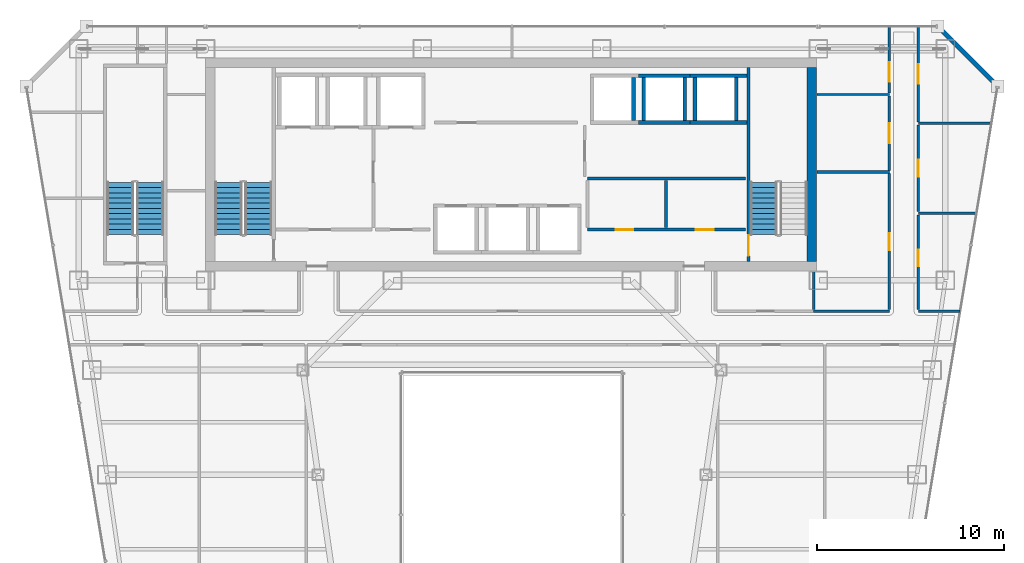
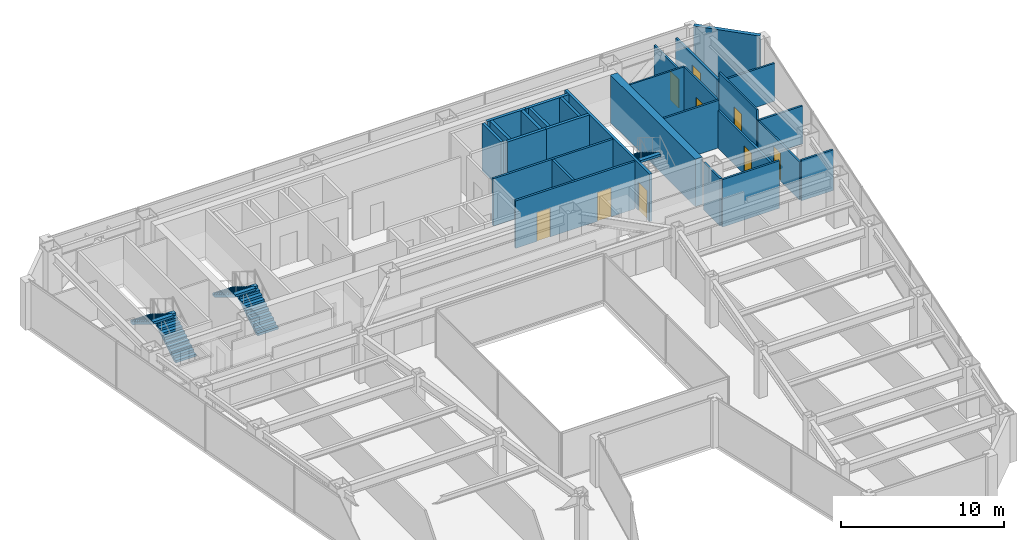
# One storey, part 35 of 40: 28 walls, 9 doors, 5 stair flights, 9 openings, 3 elements without a shape of their own.
"""IFC4 building model written with IfcOpenShell, lengths in metres."""

from ifc_helpers import new_model, si_unit, direction, frame, frame_2d, origin, place, context, subcontext, project, spatial, polyline, rectangle, outline, extrude, material, layer, layer_set, type_object, element, fill, aggregate, save


model = new_model("IFC4")

# Units and contexts
model_context = context("Model", 3, precision=1e-05, world=origin(), true_north=direction((0.0, 1.0)))
body_context = subcontext(model_context, "Body", "Model", "MODEL_VIEW")
ifc_project = project(units=[si_unit("LENGTHUNIT", "METRE"), si_unit("AREAUNIT", "SQUARE_METRE"), si_unit("VOLUMEUNIT", "CUBIC_METRE"), si_unit("PLANEANGLEUNIT", "RADIAN"), si_unit("MASSUNIT", "GRAM", prefix="KILO")], contexts=[model_context])

# Site, building, storey
site_placement = place(None, origin())
site = spatial("IfcSite", under=ifc_project, at=site_placement, CompositionType="ELEMENT")
building_placement = place(site_placement, origin())
building = spatial("IfcBuilding", under=site, at=building_placement, Name="Saevonmaru Cultural Tower", CompositionType="ELEMENT")
storey_placement = place(building_placement, frame((0.0, 0.0, 129.60009765625)))
storey = spatial("IfcBuildingStorey", under=building, at=storey_placement, Name="L27", CompositionType="ELEMENT", Elevation=129.60009765625)

# Wall
ifc_material_1 = material(Name="Concrete C60/75", Category="concrete")
ifc_layer_1 = layer(ifc_material_1, 0.5, Name="Concrete C60/75")
ifc_layer_set_1 = layer_set([ifc_layer_1], Name="Concrete C60/75")
wall_type_1 = type_object("IfcWallType", Name="WL-CORE-500", PredefinedType="SHEAR", material=ifc_layer_set_1)
wall_1_placement = place(storey_placement, frame((46.050048828125, 43.39990234375, 0.0), z_axis=(0.0, 0.0, 1.0), x_axis=(0.0, 1.0, 0.0)))
element("IfcWall", 1, at=wall_1_placement, inside=storey, type_object=wall_type_1, Name="L27 Tower RC core shear wall E", PredefinedType="SHEAR", context=body_context, shape_type="SweptSolid", body=[
    extrude(rectangle(XDim=10.400146484375, YDim=0.5, at=frame_2d((5.2001953125, 0.0))), origin(), (0.0, 0.0, 1.0), 3.5498046875),
])

# Wall, openings, doors
ifc_material_2 = material(Name="Gypsum Fireboard Partition", Category="gypsum")
ifc_layer_2 = layer(ifc_material_2, 0.14990234375, Name="Gypsum Fireboard Partition")
ifc_layer_set_2 = layer_set([ifc_layer_2], Name="Gypsum Fireboard Partition")
wall_type_2 = type_object("IfcWallType", Name="WL-CORE-PART-150", PredefinedType="PARTITIONING", material=ifc_layer_set_2)
wall_2_placement = place(storey_placement, frame((34.050048828125, 45.1201171875, 0.0), z_axis=(0.0, 0.0, 1.0), x_axis=(1.0, 0.0, 0.0)))
wall_2 = element("IfcWall", 2, at=wall_2_placement, inside=storey, type_object=wall_type_2, Name="L27 Core Plant South Wall", PredefinedType="PARTITIONING", context=body_context, shape_type="SweptSolid", body=[
    extrude(rectangle(XDim=8.449951171875, YDim=0.14990234375, at=frame_2d((4.22509765625, 0.0))), origin(), (0.0, 0.0, 1.0), 3.5498046875),
])
opening_1_placement = place(wall_2_placement, frame((1.5, 0.0, 0.0)))
opening_1 = element("IfcOpeningElement", 3, at=opening_1_placement, cuts=wall_2, Name="Opening FD-4", PredefinedType="OPENING", context=body_context, shape_type="SweptSolid", body=[
    extrude(rectangle(XDim=0.949951171875, YDim=2.14990234375, at=frame_2d((0.47509765625, 1.074951171875))), frame((0.0, 0.0849609375, 0.0), z_axis=(0.0, -1.0, 0.0), x_axis=(1.0, 0.0, 0.0)), (0.0, 0.0, 1.0), 0.169921875),
])
opening_2_placement = place(wall_2_placement, frame((5.800048828125, 0.0, 0.0)))
opening_2 = element("IfcOpeningElement", 4, at=opening_2_placement, cuts=wall_2, Name="Opening FD-4", PredefinedType="OPENING", context=body_context, shape_type="SweptSolid", body=[
    extrude(rectangle(XDim=0.949951171875, YDim=2.14990234375, at=frame_2d((0.47509765625, 1.074951171875))), frame((0.0, 0.0849609375, 0.0), z_axis=(0.0, -1.0, 0.0), x_axis=(1.0, 0.0, 0.0)), (0.0, 0.0, 1.0), 0.169921875),
])
ifc_material_3 = material(Name="Satin Bronze Anodised Aluminium", Category="aluminium")
door_type_1 = type_object("IfcDoorType", Name="DR-FD60-950", OperationType="SINGLE_SWING_LEFT", PredefinedType="DOOR", material=ifc_material_3)
door_1_placement = place(opening_1_placement, origin())
door_1 = element("IfcDoor", 5, at=door_1_placement, inside=storey, type_object=door_type_1, Name="L27 Floor AHU Plant Door", OperationType="SINGLE_SWING_LEFT", OverallHeight=2.14990234375, OverallWidth=0.949951171875, PredefinedType="DOOR", context=body_context, shape_type="SweptSolid", body=[
    extrude(rectangle(XDim=0.949951171875, YDim=2.14990234375, at=frame_2d((0.47509765625, 1.074951171875))), frame((0.0, 0.02490234375, 0.0), z_axis=(0.0, -1.0, 0.0), x_axis=(1.0, 0.0, 0.0)), (0.0, 0.0, 1.0), 0.050048828125),
])
fill(opening_1, door_1)
door_2_placement = place(opening_2_placement, origin())
door_2 = element("IfcDoor", 6, at=door_2_placement, inside=storey, type_object=door_type_1, Name="L27 Housekeeping Storage Door", OperationType="SINGLE_SWING_LEFT", OverallHeight=2.14990234375, OverallWidth=0.949951171875, PredefinedType="DOOR", context=body_context, shape_type="SweptSolid", body=[
    extrude(rectangle(XDim=0.949951171875, YDim=2.14990234375, at=frame_2d((0.47509765625, 1.074951171875))), frame((0.0, 0.02490234375, 0.0), z_axis=(0.0, -1.0, 0.0), x_axis=(1.0, 0.0, 0.0)), (0.0, 0.0, 1.0), 0.050048828125),
])
fill(opening_2, door_2)

# Walls
wall_3_placement = place(storey_placement, frame((34.050048828125, 47.85009765625, 0.0), z_axis=(0.0, 0.0, 1.0), x_axis=(1.0, 0.0, 0.0)))
element("IfcWall", 7, at=wall_3_placement, inside=storey, type_object=wall_type_2, Name="L27 Core Plant North Wall", PredefinedType="PARTITIONING", context=body_context, shape_type="SweptSolid", body=[
    extrude(rectangle(XDim=8.449951171875, YDim=0.14990234375, at=frame_2d((4.22509765625, 0.0))), origin(), (0.0, 0.0, 1.0), 3.5498046875),
])
wall_4_placement = place(storey_placement, frame((38.25, 45.219970703125, 0.0), z_axis=(0.0, 0.0, 1.0), x_axis=(0.0, 1.0, 0.0)))
element("IfcWall", 8, at=wall_4_placement, inside=storey, type_object=wall_type_2, Name="L27 Core Plant Split", PredefinedType="PARTITIONING", context=body_context, shape_type="SweptSolid", body=[
    extrude(rectangle(XDim=2.530029296875, YDim=0.14990234375, at=frame_2d((1.26513671875, 0.0))), origin(), (0.0, 0.0, 1.0), 3.5498046875),
])
ifc_material_4 = material(Name="Granite-Clad Precast Concrete C40/50", Category="masonry")
ifc_layer_3 = layer(ifc_material_4, 0.260009765625, Name="Granite-Clad Precast Concrete C40/50")
ifc_layer_set_3 = layer_set([ifc_layer_3], Name="Granite-Clad Precast Concrete C40/50")
wall_type_3 = type_object("IfcWallType", Name="WL-EXT-SPANDREL-260", PredefinedType="STANDARD", material=ifc_layer_set_3)
wall_5_placement = place(storey_placement, frame((55.886962890625, 52.9130859375, 0.0), z_axis=(0.0, 0.0, 1.0), x_axis=(-0.707106781187, 0.707106781187, 0.0)))
element("IfcWall", 9, at=wall_5_placement, inside=storey, type_object=wall_type_3, Name="L27 Chamfer Corner Spandrel Wall E9", PredefinedType="STANDARD", context=body_context, shape_type="SweptSolid", body=[
    extrude(rectangle(XDim=4.205810546875, YDim=0.260009765625, at=frame_2d((2.10302734375, 0.0))), origin(), (0.0, 0.0, 1.0), 3.5498046875),
])

# Wall, opening, door
ifc_layer_4 = layer(ifc_material_2, 0.14990234375, Name="Gypsum Fireboard Partition")
ifc_layer_set_4 = layer_set([ifc_layer_4], Name="Gypsum Fireboard Partition")
wall_type_4 = type_object("IfcWallType", Name="WL-PART-FIRE-150", PredefinedType="PARTITIONING", material=ifc_layer_set_4)
wall_6_placement = place(storey_placement, frame((51.75, 50.887451171875, 0.0), z_axis=(0.0, 0.0, 1.0), x_axis=(0.0, 1.0, 0.0)))
wall_6 = element("IfcWall", 10, at=wall_6_placement, inside=storey, type_object=wall_type_4, Name="L27 East Asian Ceramics Gallery Corridor Wall", PredefinedType="PARTITIONING", context=body_context, shape_type="SweptSolid", body=[
    extrude(rectangle(XDim=5.107666015625, YDim=0.14990234375, at=frame_2d((2.5537109375, 0.0))), origin(), (0.0, 0.0, 1.0), 2.934814453125),
])
opening_3_placement = place(wall_6_placement, frame((2.029052734375, 0.0, 0.0)))
opening_3 = element("IfcOpeningElement", 11, at=opening_3_placement, cuts=wall_6, Name="Opening ID-1", PredefinedType="OPENING", context=body_context, shape_type="SweptSolid", body=[
    extrude(rectangle(XDim=1.050048828125, YDim=2.14990234375, at=frame_2d((0.52490234375, 1.074951171875))), frame((0.0, 0.0849609375, 0.0), z_axis=(0.0, -1.0, 0.0), x_axis=(1.0, 0.0, 0.0)), (0.0, 0.0, 1.0), 0.169921875),
])
door_type_2 = type_object("IfcDoorType", Name="DR-INT-1050", OperationType="SINGLE_SWING_LEFT", PredefinedType="DOOR", material=ifc_material_3)
door_3_placement = place(opening_3_placement, origin())
door_3 = element("IfcDoor", 12, at=door_3_placement, inside=storey, type_object=door_type_2, Name="L27 East Asian Ceramics Gallery Door", OperationType="SINGLE_SWING_LEFT", OverallHeight=2.14990234375, OverallWidth=1.050048828125, PredefinedType="DOOR", context=body_context, shape_type="SweptSolid", body=[
    extrude(rectangle(XDim=1.050048828125, YDim=2.14990234375, at=frame_2d((0.52490234375, 1.074951171875))), frame((0.0, 0.02490234375, 0.0), z_axis=(0.0, -1.0, 0.0), x_axis=(1.0, 0.0, 0.0)), (0.0, 0.0, 1.0), 0.050048828125),
])
fill(opening_3, door_3)

# Wall
ifc_layer_5 = layer(ifc_material_2, 0.1201171875, Name="Gypsum Fireboard Partition")
ifc_layer_set_5 = layer_set([ifc_layer_5], Name="Gypsum Fireboard Partition")
wall_type_5 = type_object("IfcWallType", Name="WL-PART-GYP-120", PredefinedType="PARTITIONING", material=ifc_layer_set_5)
wall_7_placement = place(storey_placement, frame((46.320068359375, 52.35009765625, 0.0), z_axis=(0.0, 0.0, 1.0), x_axis=(1.0, 0.0, 0.0)))
element("IfcWall", 13, at=wall_7_placement, inside=storey, type_object=wall_type_5, Name="L27 North-East Panorama South Wall", PredefinedType="PARTITIONING", context=body_context, shape_type="SweptSolid", body=[
    extrude(rectangle(XDim=3.8798828125, YDim=0.1201171875, at=frame_2d((1.93994140625, 0.0))), origin(), (0.0, 0.0, 1.0), 3.5498046875),
])

# Wall, opening, door
wall_8_placement = place(storey_placement, frame((50.199951171875, 48.2900390625, 0.0), z_axis=(0.0, 0.0, 1.0), x_axis=(0.0, 1.0, 0.0)))
wall_8 = element("IfcWall", 14, at=wall_8_placement, inside=storey, type_object=wall_type_5, Name="L27 Rare Folio Reading Room Corridor Wall", PredefinedType="PARTITIONING", context=body_context, shape_type="SweptSolid", body=[
    extrude(rectangle(XDim=3.97998046875, YDim=0.1201171875, at=frame_2d((1.989990234375, 0.0))), origin(), (0.0, 0.0, 1.0), 3.5498046875),
])
opening_4_placement = place(wall_8_placement, frame((1.465087890625, 0.0, 0.0)))
opening_4 = element("IfcOpeningElement", 15, at=opening_4_placement, cuts=wall_8, Name="Opening ID-1", PredefinedType="OPENING", context=body_context, shape_type="SweptSolid", body=[
    extrude(rectangle(XDim=1.050048828125, YDim=2.14990234375, at=frame_2d((0.52490234375, 1.074951171875))), frame((0.0, 0.070068359375, 0.0), z_axis=(0.0, -1.0, 0.0), x_axis=(1.0, 0.0, 0.0)), (0.0, 0.0, 1.0), 0.14013671875),
])
door_4_placement = place(opening_4_placement, origin())
door_4 = element("IfcDoor", 16, at=door_4_placement, inside=storey, type_object=door_type_2, Name="L27 Rare Folio Reading Room Door", OperationType="SINGLE_SWING_LEFT", OverallHeight=2.14990234375, OverallWidth=1.050048828125, PredefinedType="DOOR", context=body_context, shape_type="SweptSolid", body=[
    extrude(rectangle(XDim=1.050048828125, YDim=2.14990234375, at=frame_2d((0.52490234375, 1.074951171875))), frame((0.0, 0.02490234375, 0.0), z_axis=(0.0, -1.0, 0.0), x_axis=(1.0, 0.0, 0.0)), (0.0, 0.0, 1.0), 0.050048828125),
])
fill(opening_4, door_4)

wall_9_placement = place(storey_placement, frame((50.199951171875, 52.429931640625, 0.0), z_axis=(0.0, 0.0, 1.0), x_axis=(0.0, 1.0, 0.0)))
wall_9 = element("IfcWall", 17, at=wall_9_placement, inside=storey, type_object=wall_type_5, Name="L27 Art History Reading Room Corridor Wall", PredefinedType="PARTITIONING", context=body_context, shape_type="SweptSolid", body=[
    extrude(rectangle(XDim=3.565185546875, YDim=0.1201171875, at=frame_2d((1.78271484375, 0.0))), origin(), (0.0, 0.0, 1.0), 2.934814453125),
])
opening_5_placement = place(wall_9_placement, frame((0.596923828125, 0.0, 0.0)))
opening_5 = element("IfcOpeningElement", 18, at=opening_5_placement, cuts=wall_9, Name="Opening ID-1", PredefinedType="OPENING", context=body_context, shape_type="SweptSolid", body=[
    extrude(rectangle(XDim=1.050048828125, YDim=2.14990234375, at=frame_2d((0.52490234375, 1.074951171875))), frame((0.0, 0.070068359375, 0.0), z_axis=(0.0, -1.0, 0.0), x_axis=(1.0, 0.0, 0.0)), (0.0, 0.0, 1.0), 0.14013671875),
])
door_5_placement = place(opening_5_placement, origin())
door_5 = element("IfcDoor", 19, at=door_5_placement, inside=storey, type_object=door_type_2, Name="L27 Art History Reading Room Door", OperationType="SINGLE_SWING_RIGHT", OverallHeight=2.14990234375, OverallWidth=1.050048828125, PredefinedType="DOOR", context=body_context, shape_type="SweptSolid", body=[
    extrude(rectangle(XDim=1.050048828125, YDim=2.14990234375, at=frame_2d((0.52490234375, 1.074951171875))), frame((0.0, 0.02490234375, 0.0), z_axis=(0.0, -1.0, 0.0), x_axis=(1.0, 0.0, 0.0)), (0.0, 0.0, 1.0), 0.050048828125),
])
fill(opening_5, door_5)

wall_10_placement = place(storey_placement, frame((51.75, 40.83740234375, 0.0), z_axis=(0.0, 0.0, 1.0), x_axis=(0.0, 1.0, 0.0)))
wall_10 = element("IfcWall", 20, at=wall_10_placement, inside=storey, type_object=wall_type_5, Name="L27 Calligraphy Teaching Studio Corridor Wall", PredefinedType="PARTITIONING", context=body_context, shape_type="SweptSolid", body=[
    extrude(rectangle(XDim=5.0751953125, YDim=0.1201171875, at=frame_2d((2.53759765625, 0.0))), origin(), (0.0, 0.0, 1.0), 2.8349609375),
])
opening_6_placement = place(wall_10_placement, frame((2.30810546875, 0.0, 0.0)))
opening_6 = element("IfcOpeningElement", 21, at=opening_6_placement, cuts=wall_10, Name="Opening ID-2", PredefinedType="OPENING", context=body_context, shape_type="SweptSolid", body=[
    extrude(rectangle(XDim=0.89990234375, YDim=2.10009765625, at=frame_2d((0.449951171875, 1.050048828125))), frame((0.0, 0.070068359375, 0.0), z_axis=(0.0, -1.0, 0.0), x_axis=(1.0, 0.0, 0.0)), (0.0, 0.0, 1.0), 0.14013671875),
])
ifc_material_5 = material(Name="Acoustic Stained Oak Timber", Category="wood")
door_type_3 = type_object("IfcDoorType", Name="DR-INT-900", OperationType="SINGLE_SWING_RIGHT", PredefinedType="DOOR", material=ifc_material_5)
door_6_placement = place(opening_6_placement, origin())
door_6 = element("IfcDoor", 22, at=door_6_placement, inside=storey, type_object=door_type_3, Name="L27 Calligraphy Teaching Studio Door", OperationType="SINGLE_SWING_LEFT", OverallHeight=2.10009765625, OverallWidth=0.89990234375, PredefinedType="DOOR", context=body_context, shape_type="SweptSolid", body=[
    extrude(rectangle(XDim=0.89990234375, YDim=2.10009765625, at=frame_2d((0.449951171875, 1.050048828125))), frame((0.0, 0.02490234375, 0.0), z_axis=(0.0, -1.0, 0.0), x_axis=(1.0, 0.0, 0.0)), (0.0, 0.0, 1.0), 0.050048828125),
])
fill(opening_6, door_6)

wall_11_placement = place(storey_placement, frame((51.75, 46.08740234375, 0.0), z_axis=(0.0, 0.0, 1.0), x_axis=(0.0, 1.0, 0.0)))
wall_11 = element("IfcWall", 23, at=wall_11_placement, inside=storey, type_object=wall_type_5, Name="L27 Curatorial Board Meeting Room Corridor Wall", PredefinedType="PARTITIONING", context=body_context, shape_type="SweptSolid", body=[
    extrude(rectangle(XDim=4.625, YDim=0.1201171875, at=frame_2d((2.3125, 0.0))), origin(), (0.0, 0.0, 1.0), 3.5498046875),
])
opening_7_placement = place(wall_11_placement, frame((1.863037109375, 0.0, 0.0)))
opening_7 = element("IfcOpeningElement", 24, at=opening_7_placement, cuts=wall_11, Name="Opening ID-2", PredefinedType="OPENING", context=body_context, shape_type="SweptSolid", body=[
    extrude(rectangle(XDim=0.89990234375, YDim=2.10009765625, at=frame_2d((0.449951171875, 1.050048828125))), frame((0.0, 0.070068359375, 0.0), z_axis=(0.0, -1.0, 0.0), x_axis=(1.0, 0.0, 0.0)), (0.0, 0.0, 1.0), 0.14013671875),
])
door_7_placement = place(opening_7_placement, origin())
door_7 = element("IfcDoor", 25, at=door_7_placement, inside=storey, type_object=door_type_3, Name="L27 Curatorial Board Meeting Room Door", OperationType="SINGLE_SWING_RIGHT", OverallHeight=2.10009765625, OverallWidth=0.89990234375, PredefinedType="DOOR", context=body_context, shape_type="SweptSolid", body=[
    extrude(rectangle(XDim=0.89990234375, YDim=2.10009765625, at=frame_2d((0.449951171875, 1.050048828125))), frame((0.0, 0.02490234375, 0.0), z_axis=(0.0, -1.0, 0.0), x_axis=(1.0, 0.0, 0.0)), (0.0, 0.0, 1.0), 0.050048828125),
])
fill(opening_7, door_7)

# Walls
ifc_layer_6 = layer(ifc_material_2, 0.135009765625, Name="Gypsum Fireboard Partition")
ifc_layer_set_6 = layer_set([ifc_layer_6], Name="Gypsum Fireboard Partition")
wall_type_6 = type_object("IfcWallType", Name="WL-PART-GYP-135", PredefinedType="PARTITIONING", material=ifc_layer_set_6)
wall_12_placement = place(storey_placement, frame((51.75, 40.75, 0.0), z_axis=(0.0, 0.0, 1.0), x_axis=(1.0, 0.0, 0.0)))
element("IfcWall", 26, at=wall_12_placement, inside=storey, type_object=wall_type_6, Name="L27 NE Wing South Wall", PredefinedType="PARTITIONING", context=body_context, shape_type="SweptSolid", body=[
    extrude(rectangle(XDim=2.24169921875, YDim=0.135009765625, at=frame_2d((1.120849609375, 0.0))), origin(), (0.0, 0.0, 1.0), 3.034912109375),
])
wall_13_placement = place(storey_placement, frame((51.75, 46.0, 0.0), z_axis=(0.0, 0.0, 1.0), x_axis=(1.0, 0.0, 0.0)))
element("IfcWall", 27, at=wall_13_placement, inside=storey, type_object=wall_type_6, Name="L27 NE Studio Divider 1", PredefinedType="PARTITIONING", context=body_context, shape_type="SweptSolid", body=[
    extrude(rectangle(XDim=3.114501953125, YDim=0.135009765625, at=frame_2d((1.55712890625, 0.0))), origin(), (0.0, 0.0, 1.0), 2.8349609375),
])
wall_14_placement = place(storey_placement, frame((51.75, 50.800048828125, 0.0), z_axis=(0.0, 0.0, 1.0), x_axis=(1.0, 0.0, 0.0)))
element("IfcWall", 28, at=wall_14_placement, inside=storey, type_object=wall_type_6, Name="L27 NE Studio Divider 2", PredefinedType="PARTITIONING", context=body_context, shape_type="SweptSolid", body=[
    extrude(rectangle(XDim=3.912353515625, YDim=0.135009765625, at=frame_2d((1.9560546875, 0.0))), origin(), (0.0, 0.0, 1.0), 2.8349609375),
])
ifc_layer_7 = layer(ifc_material_2, 0.139892578125, Name="Gypsum Fireboard Partition")
ifc_layer_set_7 = layer_set([ifc_layer_7], Name="Gypsum Fireboard Partition")
wall_type_7 = type_object("IfcWallType", Name="WL-PART-WET-140", PredefinedType="PARTITIONING", material=ifc_layer_set_7)
wall_15_placement = place(storey_placement, frame((46.14990234375, 40.75, 0.0), z_axis=(0.0, 0.0, 1.0), x_axis=(1.0, 0.0, 0.0)))
element("IfcWall", 29, at=wall_15_placement, inside=storey, type_object=wall_type_7, Name="L27 Washroom South Wall", PredefinedType="PARTITIONING", context=body_context, shape_type="SweptSolid", body=[
    extrude(rectangle(XDim=4.050048828125, YDim=0.139892578125, at=frame_2d((2.02490234375, 0.0))), origin(), (0.0, 0.0, 1.0), 3.5498046875),
])
wall_16_placement = place(storey_placement, frame((46.14990234375, 40.840087890625, 0.0), z_axis=(0.0, 0.0, 1.0), x_axis=(0.0, 1.0, 0.0)))
element("IfcWall", 30, at=wall_16_placement, inside=storey, type_object=wall_type_7, Name="L27 Washroom South-West Return", PredefinedType="PARTITIONING", context=body_context, shape_type="SweptSolid", body=[
    extrude(rectangle(XDim=2.039794921875, YDim=0.139892578125, at=frame_2d((1.02001953125, 0.0))), origin(), (0.0, 0.0, 1.0), 3.5498046875),
])
wall_17_placement = place(storey_placement, frame((46.320068359375, 48.199951171875, 0.0), z_axis=(0.0, 0.0, 1.0), x_axis=(1.0, 0.0, 0.0)))
element("IfcWall", 31, at=wall_17_placement, inside=storey, type_object=wall_type_7, Name="L27 Washroom North Wall", PredefinedType="PARTITIONING", context=body_context, shape_type="SweptSolid", body=[
    extrude(rectangle(XDim=3.8798828125, YDim=0.139892578125, at=frame_2d((1.93994140625, 0.0))), origin(), (0.0, 0.0, 1.0), 3.5498046875),
])

# Wall, opening, door
wall_18_placement = place(storey_placement, frame((50.199951171875, 40.840087890625, 0.0), z_axis=(0.0, 0.0, 1.0), x_axis=(0.0, 1.0, 0.0)))
wall_18 = element("IfcWall", 32, at=wall_18_placement, inside=storey, type_object=wall_type_7, Name="L27 Washroom Corridor Wall", PredefinedType="PARTITIONING", context=body_context, shape_type="SweptSolid", body=[
    extrude(rectangle(XDim=7.27001953125, YDim=0.139892578125, at=frame_2d((3.635009765625, 0.0))), origin(), (0.0, 0.0, 1.0), 2.8349609375),
])
opening_8_placement = place(wall_18_placement, frame((3.18505859375, 0.0, 0.0)))
opening_8 = element("IfcOpeningElement", 33, at=opening_8_placement, cuts=wall_18, Name="Opening ID-2", PredefinedType="OPENING", context=body_context, shape_type="SweptSolid", body=[
    extrude(rectangle(XDim=0.89990234375, YDim=2.10009765625, at=frame_2d((0.449951171875, 1.050048828125))), frame((0.0, 0.080078125, 0.0), z_axis=(0.0, -1.0, 0.0), x_axis=(1.0, 0.0, 0.0)), (0.0, 0.0, 1.0), 0.159912109375),
])
door_8_placement = place(opening_8_placement, origin())
door_8 = element("IfcDoor", 34, at=door_8_placement, inside=storey, type_object=door_type_3, Name="L27 Public Accessible Washrooms Door", OperationType="SINGLE_SWING_RIGHT", OverallHeight=2.10009765625, OverallWidth=0.89990234375, PredefinedType="DOOR", context=body_context, shape_type="SweptSolid", body=[
    extrude(rectangle(XDim=0.89990234375, YDim=2.10009765625, at=frame_2d((0.449951171875, 1.050048828125))), frame((0.0, 0.02490234375, 0.0), z_axis=(0.0, -1.0, 0.0), x_axis=(1.0, 0.0, 0.0)), (0.0, 0.0, 1.0), 0.050048828125),
])
fill(opening_8, door_8)

# Walls
ifc_material_6 = material(Name="Concrete C40/50", Category="concrete")
ifc_layer_8 = layer(ifc_material_6, 0.199951171875, Name="Concrete C40/50")
ifc_layer_set_8 = layer_set([ifc_layer_8], Name="Concrete C40/50")
wall_type_8 = type_object("IfcWallType", Name="WL-SHAFT-200", PredefinedType="SHEAR", material=ifc_layer_set_8)
wall_19_placement = place(storey_placement, frame((36.5, 50.949951171875, 0.0), z_axis=(0.0, 0.0, 1.0), x_axis=(0.0, 1.0, 0.0)))
element("IfcWall", 35, at=wall_19_placement, inside=storey, type_object=wall_type_8, Name="L27 Lift PL-H1 Hoistway Wall E", PredefinedType="SHEAR", context=body_context, shape_type="SweptSolid", body=[
    extrude(rectangle(XDim=2.300048828125, YDim=0.199951171875, at=frame_2d((1.14990234375, 0.0))), origin(), (0.0, 0.0, 1.0), 3.5498046875),
])
for number, where, z_axis, x_axis, name in (
    (36, (36.77490234375, 50.85009765625, 0.0), (0.0, 0.0, 1.0), (1.0, 0.0, 0.0), "L27 Lift PL-H2 Hoistway Wall S"),
    (37, (36.77490234375, 53.35009765625, 0.0), (0.0, 0.0, 1.0), (1.0, 0.0, 0.0), "L27 Lift PL-H2 Hoistway Wall N"),
):
    element("IfcWall", number, at=place(storey_placement, frame(where, z_axis=z_axis, x_axis=x_axis)), inside=storey, type_object=wall_type_8, Name=name, PredefinedType="SHEAR", context=body_context, shape_type="SweptSolid", body=[
        extrude(rectangle(XDim=2.75, YDim=0.199951171875, at=frame_2d((1.375, 0.0))), origin(), (0.0, 0.0, 1.0), 3.5498046875),
    ])
for number, where, z_axis, x_axis, name in (
    (38, (37.050048828125, 50.949951171875, 0.0), (0.0, 0.0, 1.0), (0.0, 1.0, 0.0), "L27 Lift PL-H2 Hoistway Wall W"),
    (39, (39.25, 50.949951171875, 0.0), (0.0, 0.0, 1.0), (0.0, 1.0, 0.0), "L27 Lift PL-H2 Hoistway Wall E"),
):
    element("IfcWall", number, at=place(storey_placement, frame(where, z_axis=z_axis, x_axis=x_axis)), inside=storey, type_object=wall_type_8, Name=name, PredefinedType="SHEAR", context=body_context, shape_type="SweptSolid", body=[
        extrude(rectangle(XDim=2.300048828125, YDim=0.199951171875, at=frame_2d((1.14990234375, 0.0))), origin(), (0.0, 0.0, 1.0), 3.5498046875),
    ])
for number, where, z_axis, x_axis, name in (
    (40, (39.52490234375, 50.85009765625, 0.0), (0.0, 0.0, 1.0), (1.0, 0.0, 0.0), "L27 Lift PL-H3 Hoistway Wall S"),
    (41, (39.52490234375, 53.35009765625, 0.0), (0.0, 0.0, 1.0), (1.0, 0.0, 0.0), "L27 Lift PL-H3 Hoistway Wall N"),
):
    element("IfcWall", number, at=place(storey_placement, frame(where, z_axis=z_axis, x_axis=x_axis)), inside=storey, type_object=wall_type_8, Name=name, PredefinedType="SHEAR", context=body_context, shape_type="SweptSolid", body=[
        extrude(rectangle(XDim=3.045166015625, YDim=0.199951171875, at=frame_2d((1.5224609375, 0.0))), origin(), (0.0, 0.0, 1.0), 3.5498046875),
    ])
for number, where, z_axis, x_axis, name in (
    (42, (39.800048828125, 50.949951171875, 0.0), (0.0, 0.0, 1.0), (0.0, 1.0, 0.0), "L27 Lift PL-H3 Hoistway Wall W"),
    (43, (42.0, 50.949951171875, 0.0), (0.0, 0.0, 1.0), (0.0, 1.0, 0.0), "L27 Lift PL-H3 Hoistway Wall E"),
):
    element("IfcWall", number, at=place(storey_placement, frame(where, z_axis=z_axis, x_axis=x_axis)), inside=storey, type_object=wall_type_8, Name=name, PredefinedType="SHEAR", context=body_context, shape_type="SweptSolid", body=[
        extrude(rectangle(XDim=2.300048828125, YDim=0.199951171875, at=frame_2d((1.14990234375, 0.0))), origin(), (0.0, 0.0, 1.0), 3.5498046875),
    ])

# Wall, opening, door
ifc_layer_9 = layer(ifc_material_6, 0.179931640625, Name="Concrete C40/50")
ifc_layer_set_9 = layer_set([ifc_layer_9], Name="Concrete C40/50")
wall_type_9 = type_object("IfcWallType", Name="WL-STSHAFT-180", PredefinedType="SHEAR", material=ifc_layer_set_9)
wall_20_placement = place(storey_placement, frame((42.659912109375, 53.800048828125, 0.0), z_axis=(0.0, 0.0, 1.0), x_axis=(0.0, -1.0, 0.0)))
wall_20 = element("IfcWall", 44, at=wall_20_placement, inside=storey, type_object=wall_type_9, Name="L27 Stair ST-2 Structural Shaft Wall 1", PredefinedType="SHEAR", context=body_context, shape_type="SweptSolid", body=[
    extrude(rectangle(XDim=10.400146484375, YDim=0.179931640625, at=frame_2d((5.2001953125, 0.0))), origin(), (0.0, 0.0, 1.0), 3.5498046875),
])
opening_9_placement = place(wall_20_placement, frame((8.989990234375, 0.0, 0.0)))
opening_9 = element("IfcOpeningElement", 45, at=opening_9_placement, cuts=wall_20, Name="Opening FD-2", PredefinedType="OPENING", context=body_context, shape_type="SweptSolid", body=[
    extrude(rectangle(XDim=1.10009765625, YDim=2.14990234375, at=frame_2d((0.550048828125, 1.074951171875))), frame((0.0, 0.10009765625, 0.0), z_axis=(0.0, -1.0, 0.0), x_axis=(1.0, 0.0, 0.0)), (0.0, 0.0, 1.0), 0.199951171875),
])
door_type_4 = type_object("IfcDoorType", Name="DR-FD60-1100", OperationType="SINGLE_SWING_LEFT", PredefinedType="DOOR", material=ifc_material_3)
door_9_placement = place(opening_9_placement, origin())
door_9 = element("IfcDoor", 46, at=door_9_placement, inside=storey, type_object=door_type_4, Name="L27 Protected Stair ST-2 Fire Door", OperationType="SINGLE_SWING_LEFT", OverallHeight=2.14990234375, OverallWidth=1.10009765625, PredefinedType="DOOR", context=body_context, shape_type="SweptSolid", body=[
    extrude(rectangle(XDim=1.10009765625, YDim=2.14990234375, at=frame_2d((0.550048828125, 1.074951171875))), frame((0.0, 0.02490234375, 0.0), z_axis=(0.0, -1.0, 0.0), x_axis=(1.0, 0.0, 0.0)), (0.0, 0.0, 1.0), 0.050048828125),
])
fill(opening_9, door_9)

# Stair, stair flights
stair_type = type_object("IfcStairType", Name="STR-DOGLEG-RC", PredefinedType="HALF_TURN_STAIR", material=ifc_material_6)
stair_1_placement = place(storey_placement, origin())
stair_1 = element("IfcStair", 47, at=stair_1_placement, inside=storey, type_object=stair_type, Name="L27 Protected exit stair ST-1", PredefinedType="HALF_TURN_STAIR")
ifc_material_7 = material(Name="Precast concrete C40/50", Category="concrete")
stair_flight_type = type_object("IfcStairFlightType", Name="STF-PRECAST-180", PredefinedType="STRAIGHT", material=ifc_material_7)
stair_flight_1_placement = place(storey_placement, frame((16.425048828125, 44.85009765625, 0.0), z_axis=(0.0, 0.0, 1.0), x_axis=(0.0, 1.0, 0.0)))
stair_flight_1 = element("IfcStairFlight", 48, at=stair_flight_1_placement, type_object=stair_flight_type, Name="ST-1-L27 flight 1", NumberOfRisers=11, NumberOfTreads=10, PredefinedType="STRAIGHT", RiserHeight=0.172727273, TreadLength=0.28, context=body_context, shape_type="SweptSolid", body=[
    extrude(outline(polyline([(0.0, 0.0), (0.0, 0.172607421875), (0.280029296875, 0.172607421875), (0.280029296875, 0.345458984375), (0.56005859375, 0.345458984375), (0.56005859375, 0.51806640625), (0.840087890625, 0.51806640625), (0.840087890625, 0.69091796875), (1.1201171875, 0.69091796875), (1.1201171875, 0.863525390625), (1.39990234375, 0.863525390625), (1.39990234375, 1.036376953125), (1.679931640625, 1.036376953125), (1.679931640625, 1.208984375), (1.9599609375, 1.208984375), (1.9599609375, 1.3818359375), (2.239990234375, 1.3818359375), (2.239990234375, 1.554443359375), (2.52001953125, 1.554443359375), (2.52001953125, 1.727294921875), (2.800048828125, 1.727294921875), (2.800048828125, 1.89990234375), (2.800048828125, 1.551025390625), (0.285400390625, 0.0), (0.0, 0.0)])), frame((0.0, 0.72509765625, 0.0), z_axis=(0.0, -1.0, 0.0), x_axis=(1.0, 0.0, 0.0)), (0.0, 0.0, 1.0), 1.449951171875),
])
stair_flight_2_placement = place(storey_placement, frame((14.824951171875, 47.64990234375, 1.89990234375), z_axis=(0.0, 0.0, 1.0), x_axis=(0.0, -1.0, 0.0)))
stair_flight_2 = element("IfcStairFlight", 49, at=stair_flight_2_placement, type_object=stair_flight_type, Name="ST-1-L27 flight 2", NumberOfRisers=11, NumberOfTreads=10, PredefinedType="STRAIGHT", RiserHeight=0.172727273, TreadLength=0.28, context=body_context, shape_type="SweptSolid", body=[
    extrude(outline(polyline([(0.0, 0.0), (0.0, 0.172607421875), (0.280029296875, 0.172607421875), (0.280029296875, 0.345458984375), (0.56005859375, 0.345458984375), (0.56005859375, 0.51806640625), (0.840087890625, 0.51806640625), (0.840087890625, 0.69091796875), (1.1201171875, 0.69091796875), (1.1201171875, 0.863525390625), (1.39990234375, 0.863525390625), (1.39990234375, 1.036376953125), (1.679931640625, 1.036376953125), (1.679931640625, 1.208984375), (1.9599609375, 1.208984375), (1.9599609375, 1.3818359375), (2.239990234375, 1.3818359375), (2.239990234375, 1.554443359375), (2.52001953125, 1.554443359375), (2.52001953125, 1.727294921875), (2.800048828125, 1.727294921875), (2.800048828125, 1.89990234375), (2.800048828125, 1.551025390625), (0.285400390625, 0.0), (0.0, 0.0)])), frame((0.0, 0.72509765625, 0.0), z_axis=(0.0, -1.0, 0.0), x_axis=(1.0, 0.0, 0.0)), (0.0, 0.0, 1.0), 1.449951171875),
])
aggregate(stair_1, [stair_flight_1, stair_flight_2])

# Stair, stair flight
stair_2_placement = place(storey_placement, origin())
stair_2 = element("IfcStair", 50, at=stair_2_placement, inside=storey, type_object=stair_type, Name="L27 Protected exit stair ST-2", PredefinedType="HALF_TURN_STAIR")
stair_flight_3_placement = place(storey_placement, frame((43.47509765625, 47.64990234375, 1.89990234375), z_axis=(0.0, 0.0, 1.0), x_axis=(0.0, -1.0, 0.0)))
stair_flight_3 = element("IfcStairFlight", 51, at=stair_flight_3_placement, type_object=stair_flight_type, Name="ST-2-L27 flight 2", NumberOfRisers=11, NumberOfTreads=10, PredefinedType="STRAIGHT", RiserHeight=0.172727273, TreadLength=0.28, context=body_context, shape_type="SweptSolid", body=[
    extrude(outline(polyline([(0.0, 0.0), (0.0, 0.172607421875), (0.280029296875, 0.172607421875), (0.280029296875, 0.345458984375), (0.56005859375, 0.345458984375), (0.56005859375, 0.51806640625), (0.840087890625, 0.51806640625), (0.840087890625, 0.69091796875), (1.1201171875, 0.69091796875), (1.1201171875, 0.863525390625), (1.39990234375, 0.863525390625), (1.39990234375, 1.036376953125), (1.679931640625, 1.036376953125), (1.679931640625, 1.208984375), (1.9599609375, 1.208984375), (1.9599609375, 1.3818359375), (2.239990234375, 1.3818359375), (2.239990234375, 1.554443359375), (2.52001953125, 1.554443359375), (2.52001953125, 1.727294921875), (2.800048828125, 1.727294921875), (2.800048828125, 1.89990234375), (2.800048828125, 1.551025390625), (0.285400390625, 0.0), (0.0, 0.0)])), frame((0.0, 0.72509765625, 0.0), z_axis=(0.0, -1.0, 0.0), x_axis=(1.0, 0.0, 0.0)), (0.0, 0.0, 1.0), 1.449951171875),
])
aggregate(stair_2, [stair_flight_3])

# Stair, stair flights
stair_3_placement = place(storey_placement, origin())
stair_3 = element("IfcStair", 52, at=stair_3_placement, inside=storey, type_object=stair_type, Name="L27 Protected exit stair ST-3", PredefinedType="HALF_TURN_STAIR")
stair_flight_4_placement = place(storey_placement, frame((10.625, 44.85009765625, 0.0), z_axis=(0.0, 0.0, 1.0), x_axis=(0.0, 1.0, 0.0)))
stair_flight_4 = element("IfcStairFlight", 53, at=stair_flight_4_placement, type_object=stair_flight_type, Name="ST-3-L27 flight 1", NumberOfRisers=11, NumberOfTreads=10, PredefinedType="STRAIGHT", RiserHeight=0.172727273, TreadLength=0.28, context=body_context, shape_type="SweptSolid", body=[
    extrude(outline(polyline([(0.0, 0.0), (0.0, 0.172607421875), (0.280029296875, 0.172607421875), (0.280029296875, 0.345458984375), (0.56005859375, 0.345458984375), (0.56005859375, 0.51806640625), (0.840087890625, 0.51806640625), (0.840087890625, 0.69091796875), (1.1201171875, 0.69091796875), (1.1201171875, 0.863525390625), (1.39990234375, 0.863525390625), (1.39990234375, 1.036376953125), (1.679931640625, 1.036376953125), (1.679931640625, 1.208984375), (1.9599609375, 1.208984375), (1.9599609375, 1.3818359375), (2.239990234375, 1.3818359375), (2.239990234375, 1.554443359375), (2.52001953125, 1.554443359375), (2.52001953125, 1.727294921875), (2.800048828125, 1.727294921875), (2.800048828125, 1.89990234375), (2.800048828125, 1.551025390625), (0.285400390625, 0.0), (0.0, 0.0)])), frame((0.0, 0.72509765625, 0.0), z_axis=(0.0, -1.0, 0.0), x_axis=(1.0, 0.0, 0.0)), (0.0, 0.0, 1.0), 1.449951171875),
])
stair_flight_5_placement = place(storey_placement, frame((9.02490234375, 47.64990234375, 1.89990234375), z_axis=(0.0, 0.0, 1.0), x_axis=(0.0, -1.0, 0.0)))
stair_flight_5 = element("IfcStairFlight", 54, at=stair_flight_5_placement, type_object=stair_flight_type, Name="ST-3-L27 flight 2", NumberOfRisers=11, NumberOfTreads=10, PredefinedType="STRAIGHT", RiserHeight=0.172727273, TreadLength=0.28, context=body_context, shape_type="SweptSolid", body=[
    extrude(outline(polyline([(0.0, 0.0), (0.0, 0.172607421875), (0.280029296875, 0.172607421875), (0.280029296875, 0.345458984375), (0.56005859375, 0.345458984375), (0.56005859375, 0.51806640625), (0.840087890625, 0.51806640625), (0.840087890625, 0.69091796875), (1.1201171875, 0.69091796875), (1.1201171875, 0.863525390625), (1.39990234375, 0.863525390625), (1.39990234375, 1.036376953125), (1.679931640625, 1.036376953125), (1.679931640625, 1.208984375), (1.9599609375, 1.208984375), (1.9599609375, 1.3818359375), (2.239990234375, 1.3818359375), (2.239990234375, 1.554443359375), (2.52001953125, 1.554443359375), (2.52001953125, 1.727294921875), (2.800048828125, 1.727294921875), (2.800048828125, 1.89990234375), (2.800048828125, 1.551025390625), (0.285400390625, 0.0), (0.0, 0.0)])), frame((0.0, 0.72509765625, 0.0), z_axis=(0.0, -1.0, 0.0), x_axis=(1.0, 0.0, 0.0)), (0.0, 0.0, 1.0), 1.449951171875),
])
aggregate(stair_3, [stair_flight_4, stair_flight_5])

save(model, "model.ifc")
